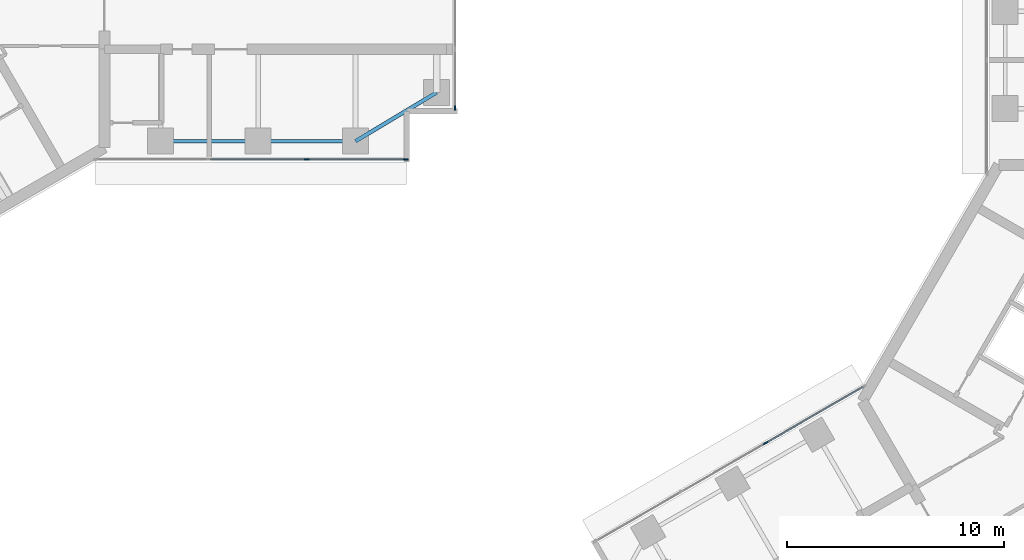
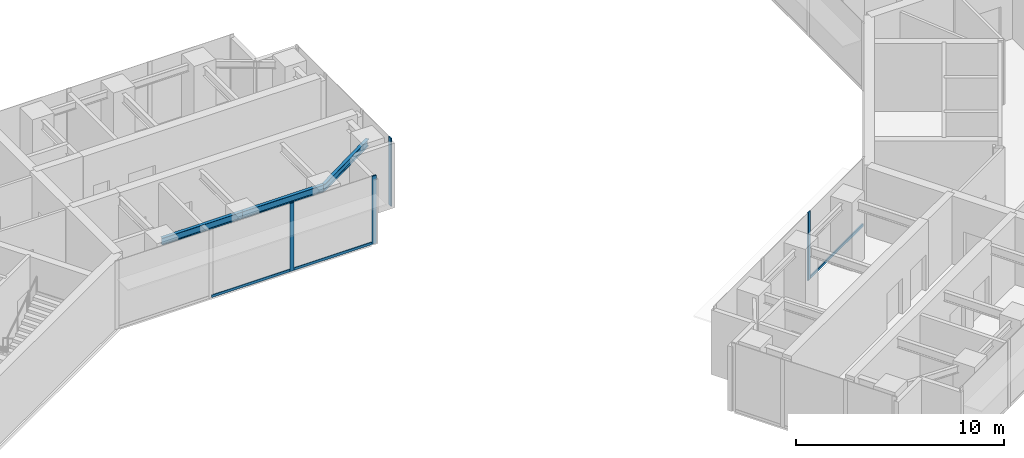
# One storey, part 4 of 17: 7 members, 3 beams, 3 elements without a shape of their own.
"""IFC4 building model written with IfcOpenShell, lengths in metres."""

from ifc_helpers import new_model, si_unit, direction, frame, origin, origin_2d, place, context, subcontext, project, spatial, rectangle, i_section, extrude, material, material_profile, profile_set, type_object, element, aggregate, save


model = new_model("IFC4")

# Units and contexts
model_context = context("Model", 3, precision=1e-05, world=origin(), true_north=direction((0.0, 1.0)))
body_context = subcontext(model_context, "Body", "Model", "MODEL_VIEW")
ifc_project = project(units=[si_unit("LENGTHUNIT", "METRE"), si_unit("AREAUNIT", "SQUARE_METRE"), si_unit("VOLUMEUNIT", "CUBIC_METRE"), si_unit("PLANEANGLEUNIT", "RADIAN"), si_unit("MASSUNIT", "GRAM", prefix="KILO")], contexts=[model_context])

# Site, building, storey
site_placement = place(None, origin())
site = spatial("IfcSite", under=ifc_project, at=site_placement, CompositionType="ELEMENT")
building_placement = place(site_placement, origin())
building = spatial("IfcBuilding", under=site, at=building_placement, Name="Upepo Twin Towers", CompositionType="ELEMENT")
storey_placement = place(building_placement, frame((0.0, 0.0, 178.5)))
storey = spatial("IfcBuildingStorey", under=building, at=storey_placement, Name="L43", CompositionType="ELEMENT", Elevation=178.5)

# Beams
ifc_material_1 = material(Name="Steel S355", Category="steel")
ifc_material_profile_1 = material_profile(ifc_material_1, i_section(OverallWidth=0.177978515625, OverallDepth=0.406494140625, WebThickness=0.0078125, FlangeThickness=0.0126953125, FilletRadius=0.01025390625, at=origin_2d()), Name="UB 406x178x60")
ifc_profile_set_1 = profile_set([ifc_material_profile_1], Name="Steel S355")
beam_type = type_object("IfcBeamType", Name="Beam UB 406x178x60", PredefinedType="BEAM", material=ifc_profile_set_1)
for number, where, z_axis, x_axis, name in (
    (1, (13.5, -6.0, 3.5966796875), (1.0, 0.0, 0.0), (0.0, 1.0, 0.0), "T1 edge beam AR 13.5-18.0"),
    (2, (18.0, -6.0, 3.5966796875), (1.0, 0.0, 0.0), (0.0, 1.0, 0.0), "T1 edge beam AR 18.0-22.5"),
):
    element("IfcBeam", number, at=place(storey_placement, frame(where, z_axis=z_axis, x_axis=x_axis)), inside=storey, type_object=beam_type, Name=name, PredefinedType="BEAM", context=body_context, shape_type="SweptSolid", body=[
        extrude(i_section(OverallWidth=0.177978515625, OverallDepth=0.406494140625, WebThickness=0.0078125, FlangeThickness=0.0126953125, FilletRadius=0.01025390625, at=origin_2d()), origin(), (0.0, 0.0, 1.0), 4.5),
    ])
beam_placement = place(storey_placement, frame((22.5, -6.0, 3.5966796875), z_axis=(0.857492925713, 0.514495755428, 0.0), x_axis=(-0.514495755428, 0.857492925713, 0.0)))
element("IfcBeam", 3, at=beam_placement, inside=storey, type_object=beam_type, Name="T1 nose edge beam AR", PredefinedType="BEAM", context=body_context, shape_type="SweptSolid", body=[
    extrude(i_section(OverallWidth=0.177978515625, OverallDepth=0.406494140625, WebThickness=0.0078125, FlangeThickness=0.0126953125, FilletRadius=0.01025390625, at=origin_2d()), origin(), (0.0, 0.0, 1.0), 4.373291015625),
])

# Curtain wall, members
ifc_material_2 = material(Name="Aluminium and fritted glass", Category="aluminium")
curtain_wall_type = type_object("IfcCurtainWallType", Name="Tower curtain wall TW3, fritted glass", PredefinedType="NOTDEFINED", material=ifc_material_2)
curtain_wall_1_placement = place(storey_placement, origin())
curtain_wall_1 = element("IfcCurtainWall", 4, at=curtain_wall_1_placement, inside=storey, type_object=curtain_wall_type, Name="T1 L43 wing A flank R curtain wall", PredefinedType="NOTDEFINED")
ifc_material_3 = material(Name="Aluminium mullion", Category="aluminium")
ifc_material_profile_2 = material_profile(ifc_material_3, rectangle(XDim=0.06494140625, YDim=0.22509765625, at=origin_2d()), Name="MULLION 65x225")
ifc_profile_set_2 = profile_set([ifc_material_profile_2], Name="Aluminium mullion")
member_type_1 = type_object("IfcMemberType", Name="Mullion 65x225 TW3", PredefinedType="MULLION", material=ifc_profile_set_2)
member_1_placement = place(storey_placement, frame((24.8173828125, -6.85009765625, 0.0), z_axis=(0.0, 0.0, 1.0), x_axis=(0.0, -1.0, 0.0)))
member_1 = element("IfcMember", 5, at=member_1_placement, type_object=member_type_1, Name="T1 L43 wing A flank R curtain wall mullion 1", PredefinedType="MULLION", context=body_context, shape_type="SweptSolid", body=[
    extrude(rectangle(XDim=0.06494140625, YDim=0.22509765625, at=origin_2d()), origin(), (0.0, 0.0, 1.0), 4.0),
])
member_2_placement = place(storey_placement, frame((20.25, -6.85009765625, 0.0), z_axis=(0.0, 0.0, 1.0), x_axis=(0.0, -1.0, 0.0)))
member_2 = element("IfcMember", 6, at=member_2_placement, type_object=member_type_1, Name="T1 L43 wing A flank R curtain wall mullion 2", PredefinedType="MULLION", context=body_context, shape_type="SweptSolid", body=[
    extrude(rectangle(XDim=0.06494140625, YDim=0.22509765625, at=origin_2d()), origin(), (0.0, 0.0, 1.0), 4.0),
])

# Curtain wall, member
curtain_wall_2_placement = place(storey_placement, origin())
curtain_wall_2 = element("IfcCurtainWall", 7, at=curtain_wall_2_placement, inside=storey, type_object=curtain_wall_type, Name="T1 L43 wing A nose curtain wall", PredefinedType="NOTDEFINED")
member_3_placement = place(storey_placement, frame((27.10009765625, -4.467529296875, 0.0), z_axis=(0.0, 0.0, 1.0), x_axis=(-1.0, 0.0, 0.0)))
member_3 = element("IfcMember", 8, at=member_3_placement, type_object=member_type_1, Name="T1 L43 wing A nose curtain wall mullion 1", PredefinedType="MULLION", context=body_context, shape_type="SweptSolid", body=[
    extrude(rectangle(XDim=0.06494140625, YDim=0.22509765625, at=origin_2d()), origin(), (0.0, 0.0, 1.0), 4.0),
])
aggregate(curtain_wall_2, [member_3])

curtain_wall_3_placement = place(storey_placement, origin())
curtain_wall_3 = element("IfcCurtainWall", 9, at=curtain_wall_3_placement, inside=storey, type_object=curtain_wall_type, Name="T2 L43 wing B flank R curtain wall", PredefinedType="NOTDEFINED")
member_4_placement = place(storey_placement, frame((41.43505859375, -19.942626953125, 0.0), z_axis=(0.0, 0.0, 1.0), x_axis=(-0.500000026527, 0.866025388469, 0.0)))
member_4 = element("IfcMember", 10, at=member_4_placement, type_object=member_type_1, Name="T2 L43 wing B flank R curtain wall mullion 3", PredefinedType="MULLION", context=body_context, shape_type="SweptSolid", body=[
    extrude(rectangle(XDim=0.06494140625, YDim=0.22509765625, at=origin_2d()), origin(), (0.0, 0.0, 1.0), 4.0),
])

# Member
ifc_material_4 = material(Name="Aluminium transom", Category="aluminium")
ifc_material_profile_3 = material_profile(ifc_material_4, rectangle(XDim=0.06494140625, YDim=0.14990234375, at=origin_2d()), Name="TRANSOM 65x150")
ifc_profile_set_3 = profile_set([ifc_material_profile_3], Name="Aluminium transom")
member_type_2 = type_object("IfcMemberType", Name="Transom 65x150 TW3", PredefinedType="USERDEFINED", material=ifc_profile_set_3)
member_5_placement = place(storey_placement, frame((24.784912109375, -6.85009765625, 0.074951171875), z_axis=(-1.0, 0.0, 0.0), x_axis=(0.0, -1.0, 0.0)))
member_5 = element("IfcMember", 11, at=member_5_placement, type_object=member_type_2, Name="T1 L43 wing A flank R curtain wall transom 1", ObjectType="TRANSOM", PredefinedType="USERDEFINED", context=body_context, shape_type="SweptSolid", body=[
    extrude(rectangle(XDim=0.06494140625, YDim=0.14990234375, at=origin_2d()), origin(), (0.0, 0.0, 1.0), 4.50244140625),
])

member_6_placement = place(storey_placement, frame((20.217529296875, -6.85009765625, 0.074951171875), z_axis=(-1.0, 0.0, 0.0), x_axis=(0.0, -1.0, 0.0)))
member_6 = element("IfcMember", 12, at=member_6_placement, type_object=member_type_2, Name="T1 L43 wing A flank R curtain wall transom 2", ObjectType="TRANSOM", PredefinedType="USERDEFINED", context=body_context, shape_type="SweptSolid", body=[
    extrude(rectangle(XDim=0.06494140625, YDim=0.14990234375, at=origin_2d()), origin(), (0.0, 0.0, 1.0), 4.43505859375),
])

aggregate(curtain_wall_1, [member_1, member_2, member_5, member_6])

member_7_placement = place(storey_placement, frame((41.463134765625, -19.926513671875, 0.074951171875), z_axis=(0.86602108507, 0.500007480159, 0.0), x_axis=(-0.500007480159, 0.86602108507, 0.0)))
member_7 = element("IfcMember", 13, at=member_7_placement, type_object=member_type_2, Name="T2 L43 wing B flank R curtain wall transom 3", ObjectType="TRANSOM", PredefinedType="USERDEFINED", context=body_context, shape_type="SweptSolid", body=[
    extrude(rectangle(XDim=0.06494140625, YDim=0.14990234375, at=origin_2d()), origin(), (0.0, 0.0, 1.0), 5.16552734375),
])

aggregate(curtain_wall_3, [member_4, member_7])

save(model, "model.ifc")
